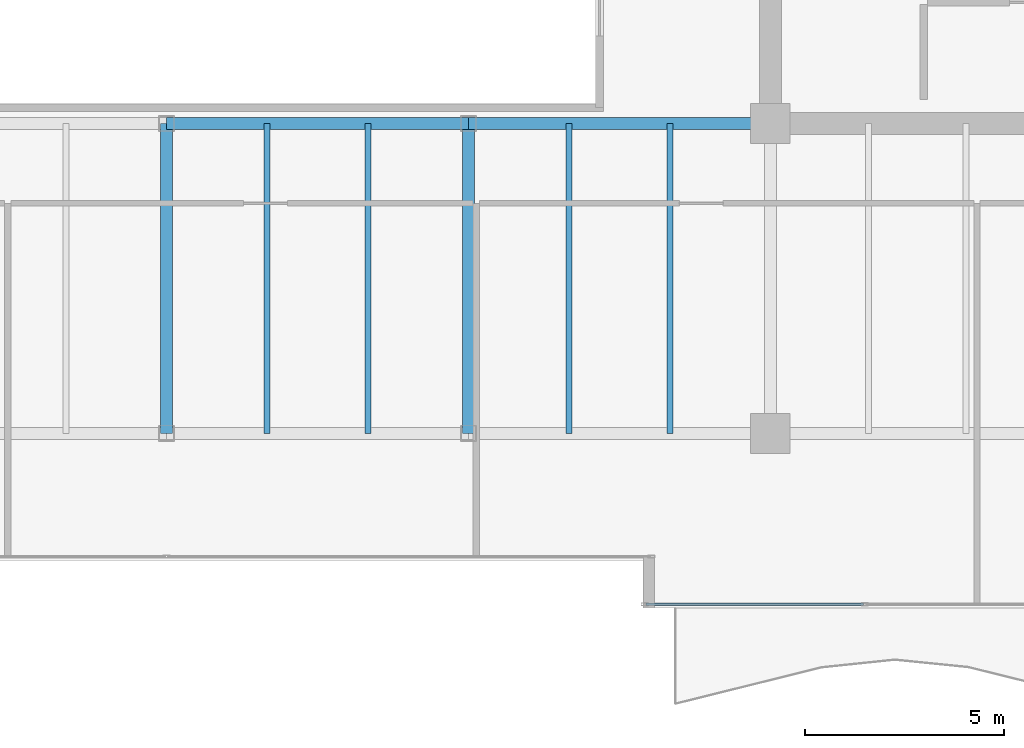
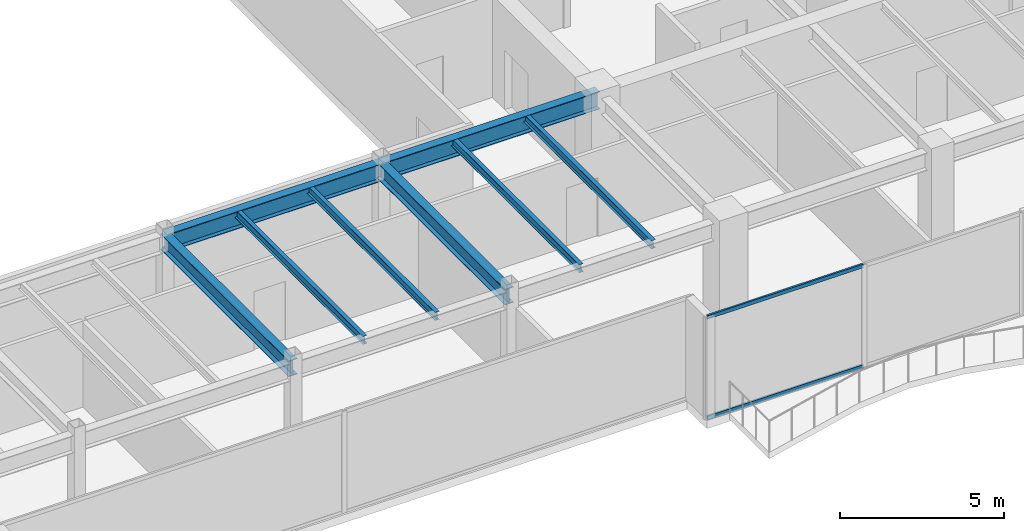
# One storey, part 11 of 34: 8 beams, 2 members, 1 element without a shape of its own.
"""IFC4 building model written with IfcOpenShell, lengths in metres."""

from ifc_helpers import new_model, si_unit, direction, frame, origin, origin_2d, place, context, subcontext, project, spatial, hollow_rectangle, i_section, extrude, source, transform, mapped, material, layer, layer_set, material_profile, profile_set, type_object, type_shapes, element, aggregate, save


model = new_model("IFC4")

# Units and contexts
model_context = context("Model", 3, precision=1e-05, world=origin(), true_north=direction((0.0, 1.0)))
body_context = subcontext(model_context, "Body", "Model", "MODEL_VIEW")
ifc_project = project(units=[si_unit("LENGTHUNIT", "METRE"), si_unit("AREAUNIT", "SQUARE_METRE"), si_unit("VOLUMEUNIT", "CUBIC_METRE"), si_unit("PLANEANGLEUNIT", "RADIAN"), si_unit("MASSUNIT", "GRAM", prefix="KILO")], contexts=[model_context])

# Site, building, storey
site_placement = place(None, origin())
site = spatial("IfcSite", under=ifc_project, at=site_placement, CompositionType="ELEMENT")
building_placement = place(site_placement, origin())
building = spatial("IfcBuilding", under=site, at=building_placement, Name="Haelvirn Gate Laboratories", CompositionType="ELEMENT")
storey_placement = place(building_placement, frame((0.0, 0.0, 205.5)))
storey = spatial("IfcBuildingStorey", under=building, at=storey_placement, Name="L49", CompositionType="ELEMENT", Elevation=205.5)

# Beams
ifc_material_1 = material(Name="Steel SM355", Category="steel")
ifc_material_profile_1 = material_profile(ifc_material_1, i_section(OverallWidth=0.14990234375, OverallDepth=0.300048828125, WebThickness=0.006591796875, FlangeThickness=0.009033203125, at=origin_2d()), Name="H-300x150x6.5x9")
ifc_profile_set_1 = profile_set([ifc_material_profile_1], Name="Steel SM355")
beam_type_1 = type_object("IfcBeamType", Name="BM-J-300", PredefinedType="JOIST", material=ifc_profile_set_1)
shared_shape_1 = source(origin(), body_context, "Body", "SweptSolid", [
    extrude(i_section(OverallWidth=0.14990234375, OverallDepth=0.300048828125, WebThickness=0.006591796875, FlangeThickness=0.009033203125, at=origin_2d()), origin(), (0.0, 0.0, 1.0), 7.800048828125),
])
type_shapes(beam_type_1, [shared_shape_1])
for number, where, z_axis, x_axis, name in (
    (1, (39.929931640625, 7.0, 3.64990234375), (0.0, 1.0, 0.0), (-1.0, 0.0, 0.0), "L49 Composite Lab Joist South X39.93"),
    (2, (42.469970703125, 7.0, 3.64990234375), (0.0, 1.0, 0.0), (-1.0, 0.0, 0.0), "L49 Composite Lab Joist South X42.47"),
    (3, (47.530029296875, 7.0, 3.64990234375), (0.0, 1.0, 0.0), (-1.0, 0.0, 0.0), "L49 Composite Lab Joist South X47.53"),
    (4, (50.070068359375, 7.0, 3.64990234375), (0.0, 1.0, 0.0), (-1.0, 0.0, 0.0), "L49 Composite Lab Joist South X50.07"),
):
    element("IfcBeam", number, at=place(storey_placement, frame(where, z_axis=z_axis, x_axis=x_axis)), inside=storey, type_object=beam_type_1, Name=name, PredefinedType="JOIST", context=body_context, shape_type="MappedRepresentation", body=[
        mapped(shared_shape_1, transform((0.0, 0.0, 0.0), scale=1.0)),
    ])
ifc_material_profile_2 = material_profile(ifc_material_1, i_section(OverallWidth=0.300048828125, OverallDepth=0.587890625, WebThickness=0.011962890625, FlangeThickness=0.02001953125, at=origin_2d()), Name="H-588x300x12x20")
ifc_profile_set_2 = profile_set([ifc_material_profile_2], Name="Steel SM355")
beam_type_2 = type_object("IfcBeamType", Name="BM-G-588", PredefinedType="BEAM", material=ifc_profile_set_2)
shared_shape_2 = source(origin(), body_context, "Body", "SweptSolid", [
    extrude(i_section(OverallWidth=0.300048828125, OverallDepth=0.587890625, WebThickness=0.011962890625, FlangeThickness=0.02001953125, at=origin_2d()), origin(), (0.0, 0.0, 1.0), 7.800048828125),
])
type_shapes(beam_type_2, [shared_shape_2])
for number, where, z_axis, x_axis, name in (
    (5, (37.39990234375, 7.0, 3.506103515625), (0.0, 1.0, 0.0), (-1.0, 0.0, 0.0), "L49 Frame Girder X37.4 (7.0-14.8)"),
    (6, (45.0, 7.0, 3.506103515625), (0.0, 1.0, 0.0), (-1.0, 0.0, 0.0), "L49 Frame Girder X45.0 (7.0-14.8)"),
):
    element("IfcBeam", number, at=place(storey_placement, frame(where, z_axis=z_axis, x_axis=x_axis)), inside=storey, type_object=beam_type_2, Name=name, PredefinedType="BEAM", context=body_context, shape_type="MappedRepresentation", body=[
        mapped(shared_shape_2, transform((0.0, 0.0, 0.0), scale=1.0)),
    ])
ifc_material_profile_3 = material_profile(ifc_material_1, i_section(OverallWidth=0.300048828125, OverallDepth=0.64990234375, WebThickness=0.012939453125, FlangeThickness=0.02197265625, at=origin_2d()), Name="H-650x300x13x22")
ifc_profile_set_3 = profile_set([ifc_material_profile_3], Name="Steel SM355")
beam_type_3 = type_object("IfcBeamType", Name="BM-G-650", PredefinedType="BEAM", material=ifc_profile_set_3)
shared_shape_3 = source(origin(), body_context, "Body", "SweptSolid", [
    extrude(i_section(OverallWidth=0.300048828125, OverallDepth=0.64990234375, WebThickness=0.012939453125, FlangeThickness=0.02197265625, at=origin_2d()), origin(), (0.0, 0.0, 1.0), 7.60009765625),
])
type_shapes(beam_type_3, [shared_shape_3])
for number, where, z_axis, x_axis, name in (
    (7, (37.39990234375, 14.800048828125, 3.47509765625), (1.0, 0.0, 0.0), (0.0, 1.0, 0.0), "L49 Primary Girder Y14.8 (37.4-45.0)"),
    (8, (45.0, 14.800048828125, 3.47509765625), (1.0, 0.0, 0.0), (0.0, 1.0, 0.0), "L49 Primary Girder Y14.8 (45.0-52.6)"),
):
    element("IfcBeam", number, at=place(storey_placement, frame(where, z_axis=z_axis, x_axis=x_axis)), inside=storey, type_object=beam_type_3, Name=name, PredefinedType="BEAM", context=body_context, shape_type="MappedRepresentation", body=[
        mapped(shared_shape_3, transform((0.0, 0.0, 0.0), scale=1.0)),
    ])

# Curtain wall, members
ifc_material_2 = material(Name="Anodised bronze unitised aluminium & triple low-E glass", Category="aluminium")
ifc_layer = layer(ifc_material_2, 0.176025390625, Name="CW-SYS-4")
ifc_layer_set = layer_set([ifc_layer], Name="Anodised bronze unitised aluminium & triple low-E glass")
curtain_wall_type = type_object("IfcCurtainWallType", Name="CW-SYS-4", PredefinedType="NOTDEFINED", material=ifc_layer_set)
curtain_wall_placement = place(storey_placement, origin())
curtain_wall = element("IfcCurtainWall", 9, at=curtain_wall_placement, inside=storey, type_object=curtain_wall_type, Name="L49 Unitised Curtain Wall CW-L49-P0-E04-1", PredefinedType="NOTDEFINED")
ifc_material_3 = material(Name="Extruded aluminium 6063-T6 (anodised bronze)", Category="aluminium")
ifc_material_profile_4 = material_profile(ifc_material_3, hollow_rectangle(XDim=0.06494140625, YDim=0.139892578125, WallThickness=0.00390625, at=origin_2d()), Name="CWT-140x65x4")
ifc_profile_set_4 = profile_set([ifc_material_profile_4], Name="Extruded aluminium 6063-T6 (anodised bronze)")
member_type = type_object("IfcMemberType", Name="CWT-T140", PredefinedType="USERDEFINED", material=ifc_profile_set_4)
shared_shape_4 = source(origin(), body_context, "Body", "SweptSolid", [
    extrude(hollow_rectangle(XDim=0.06494140625, YDim=0.139892578125, WallThickness=0.00390625, at=origin_2d()), origin(), (0.0, 0.0, 1.0), 5.472412109375),
])
type_shapes(member_type, [shared_shape_4])
member_1_placement = place(storey_placement, frame((49.469970703125, 2.699951171875, 0.032470703125), z_axis=(1.0, 0.0, 0.0), x_axis=(0.0, 1.0, 0.0)))
member_1 = element("IfcMember", 10, at=member_1_placement, type_object=member_type, Name="CW4 transom 1.1", ObjectType="TRANSOM", PredefinedType="USERDEFINED", context=body_context, shape_type="MappedRepresentation", body=[
    mapped(shared_shape_4, transform((0.0, 0.0, 0.0), scale=1.0)),
])
member_2_placement = place(storey_placement, frame((49.469970703125, 2.699951171875, 3.767578125), z_axis=(1.0, 0.0, 0.0), x_axis=(0.0, 1.0, 0.0)))
member_2 = element("IfcMember", 11, at=member_2_placement, type_object=member_type, Name="CW4 transom 1.2", ObjectType="TRANSOM", PredefinedType="USERDEFINED", context=body_context, shape_type="MappedRepresentation", body=[
    mapped(shared_shape_4, transform((0.0, 0.0, 0.0), scale=1.0)),
])
aggregate(curtain_wall, [member_1, member_2])

save(model, "model.ifc")
